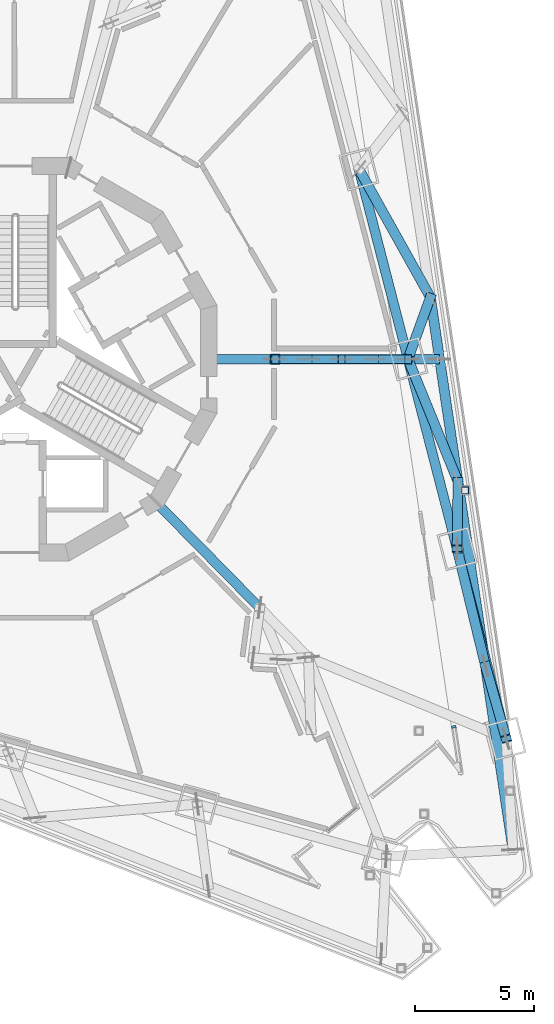
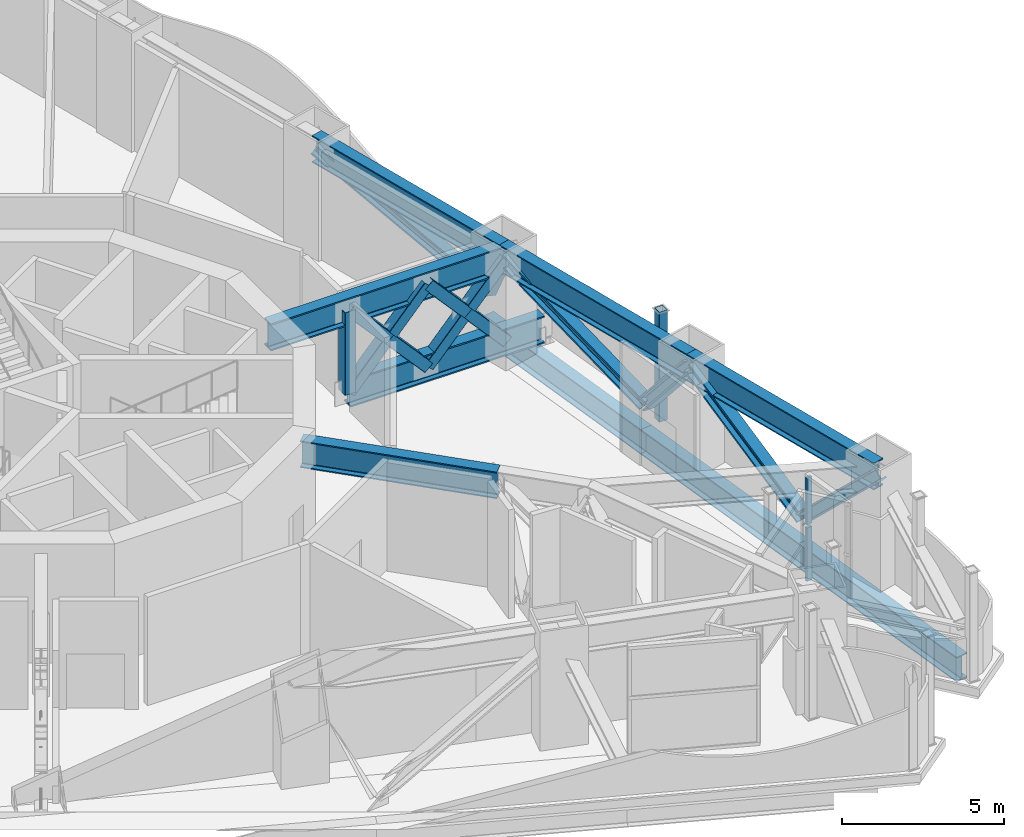
# One storey, part 4 of 27: 24 members, 1 beam, 1 element without a shape of its own.
"""IFC4 building model written with IfcOpenShell, lengths in metres."""

from ifc_helpers import new_model, si_unit, direction, frame, origin, origin_2d, place, context, subcontext, project, spatial, rectangle, hollow_rectangle, i_section, extrude, material, layer, layer_set, material_profile, profile_set, type_object, element, aggregate, save


model = new_model("IFC4")

# Units and contexts
model_context = context("Model", 3, precision=1e-05, world=origin(), true_north=direction((0.0, 1.0)))
body_context = subcontext(model_context, "Body", "Model", "MODEL_VIEW")
ifc_project = project(units=[si_unit("LENGTHUNIT", "METRE"), si_unit("AREAUNIT", "SQUARE_METRE"), si_unit("VOLUMEUNIT", "CUBIC_METRE"), si_unit("PLANEANGLEUNIT", "RADIAN"), si_unit("MASSUNIT", "GRAM", prefix="KILO")], contexts=[model_context])

# Site, building, storey
site_placement = place(None, origin())
site = spatial("IfcSite", under=ifc_project, at=site_placement, CompositionType="ELEMENT")
building_placement = place(site_placement, origin())
building = spatial("IfcBuilding", under=site, at=building_placement, Name="Trine Commons Tower", CompositionType="ELEMENT")
storey_placement = place(building_placement, frame((0.0, 0.0, 230.39990234375)))
storey = spatial("IfcBuildingStorey", under=building, at=storey_placement, Name="L60", CompositionType="ELEMENT", Elevation=230.39990234375)

# Curtain wall, members
ifc_material_1 = material(Name="Plant louvre wall: anodised aluminium frame with anodised aluminium louvre blades", Category="aluminium")
ifc_layer = layer(ifc_material_1, 0.199951171875)
ifc_layer_set = layer_set([ifc_layer], Name="Plant louvre wall: anodised aluminium frame with anodised aluminium louvre blades")
curtain_wall_type = type_object("IfcCurtainWallType", Name="Plant louvre wall curtain wall CW7", PredefinedType="NOTDEFINED", material=ifc_layer_set)
curtain_wall_placement = place(storey_placement, origin())
curtain_wall = element("IfcCurtainWall", 1, at=curtain_wall_placement, inside=storey, type_object=curtain_wall_type, Name="Plant louvre wall L60 F2.2", PredefinedType="NOTDEFINED")
ifc_material_2 = material(Name="Anodised aluminium, bronze finish", Category="aluminium")
ifc_material_profile_1 = material_profile(ifc_material_2, rectangle(XDim=0.199951171875, YDim=0.10009765625, at=origin_2d()), Name="Mullion 100x200")
ifc_profile_set_1 = profile_set([ifc_material_profile_1], Name="Anodised aluminium, bronze finish")
member_type_1 = type_object("IfcMemberType", Name="Mullion 100x200, Anodised aluminium, bronze finish", PredefinedType="MULLION", material=ifc_profile_set_1)
member_1_placement = place(storey_placement, frame((98.484619140625, 47.0, 0.1201171875), z_axis=(0.0, 0.0, 1.0), x_axis=(0.989015863362, 0.14780941113, 0.0)))
member_1 = element("IfcMember", 2, at=member_1_placement, type_object=member_type_1, Name="CW7 mullion 1.1", PredefinedType="MULLION", context=body_context, shape_type="SweptSolid", body=[
    extrude(rectangle(XDim=0.199951171875, YDim=0.10009765625, at=origin_2d()), origin(), (0.0, 0.0, 1.0), 2.02001953125),
])
member_2_placement = place(storey_placement, frame((98.484619140625, 47.0, 2.260009765625), z_axis=(0.0, 0.0, 1.0), x_axis=(0.989015863362, 0.14780941113, 0.0)))
member_2 = element("IfcMember", 3, at=member_2_placement, type_object=member_type_1, Name="CW7 mullion 1.2", PredefinedType="MULLION", context=body_context, shape_type="SweptSolid", body=[
    extrude(rectangle(XDim=0.199951171875, YDim=0.10009765625, at=origin_2d()), origin(), (0.0, 0.0, 1.0), 1.77001953125),
])
aggregate(curtain_wall, [member_1, member_2])

# Beam
ifc_material_3 = material(Name="Structural steel ASTM A992 Gr50", Category="steel")
ifc_material_profile_2 = material_profile(ifc_material_3, i_section(OverallWidth=0.4033203125, OverallDepth=1.0126953125, WebThickness=0.023681640625, FlangeThickness=0.0419921875, FilletRadius=0.030029296875, at=origin_2d()), Name="W40X297")
ifc_profile_set_2 = profile_set([ifc_material_profile_2], Name="Structural steel ASTM A992 Gr50")
beam_type = type_object("IfcBeamType", Name="Steel beam W40X297, ASTM A992 Gr50", PredefinedType="BEAM", material=ifc_profile_set_2)
beam_placement = place(storey_placement, frame((85.87353515625, 56.523193359375, 3.643798828125), z_axis=(0.700896615551, -0.713262878824, 0.0), x_axis=(0.713262878824, 0.700896615551, 0.0)))
element("IfcBeam", 4, at=beam_placement, inside=storey, type_object=beam_type, Name="Transfer truss girder T6-UR-01", PredefinedType="BEAM", context=body_context, shape_type="SweptSolid", body=[
    extrude(i_section(OverallWidth=0.4033203125, OverallDepth=1.0126953125, WebThickness=0.023681640625, FlangeThickness=0.0419921875, FilletRadius=0.030029296875, at=origin_2d()), origin(), (0.0, 0.0, 1.0), 6.317626953125),
])

# Members
ifc_material_4 = material(Name="Structural steel ASTM A500 Gr C", Category="steel")
ifc_material_profile_3 = material_profile(ifc_material_4, hollow_rectangle(XDim=0.406494140625, YDim=0.406494140625, WallThickness=0.017578125, InnerFilletRadius=0.0087890625, OuterFilletRadius=0.026611328125, at=origin_2d()), Name="HSS16X16X3/4")
ifc_profile_set_3 = profile_set([ifc_material_profile_3], Name="Structural steel ASTM A500 Gr C")
member_type_2 = type_object("IfcMemberType", Name="Steel brace HSS16X16X3/4, ASTM A500 Gr C", PredefinedType="BRACE", material=ifc_profile_set_3)
member_3_placement = place(storey_placement, frame((90.949951171875, 62.5, 0.514404296875), z_axis=(0.668080001186, 0.0, 0.744089451622), x_axis=(0.0, 1.0, 0.0)))
element("IfcMember", 5, at=member_3_placement, inside=storey, type_object=member_type_2, Name="Outrigger truss brace T6-OB-09", PredefinedType="BRACE", context=body_context, shape_type="SweptSolid", body=[
    extrude(hollow_rectangle(XDim=0.406494140625, YDim=0.406494140625, WallThickness=0.017578125, InnerFilletRadius=0.0087890625, OuterFilletRadius=0.026611328125, at=origin_2d()), origin(), (0.0, 0.0, 1.0), 4.19482421875),
])
for number, where, z_axis, x_axis, name in (
    (6, (90.949951171875, 62.5, 3.6357421875), (0.668141154821, 0.0, -0.744034540351), (0.0, 1.0, 0.0), "Outrigger truss brace T6-OB-10a"),
    (7, (92.351318359375, 62.5, 2.0751953125), (0.66801884358, 0.0, -0.744144357381), (0.0, 1.0, 0.0), "Outrigger truss brace T6-OB-10b"),
):
    element("IfcMember", number, at=place(storey_placement, frame(where, z_axis=z_axis, x_axis=x_axis)), inside=storey, type_object=member_type_2, Name=name, PredefinedType="BRACE", context=body_context, shape_type="SweptSolid", body=[
        extrude(hollow_rectangle(XDim=0.406494140625, YDim=0.406494140625, WallThickness=0.017578125, InnerFilletRadius=0.0087890625, OuterFilletRadius=0.026611328125, at=origin_2d()), origin(), (0.0, 0.0, 1.0), 2.097412109375),
    ])
member_4_placement = place(storey_placement, frame((93.75244140625, 62.5, 0.514404296875), z_axis=(0.668080001186, 0.0, 0.744089451622), x_axis=(0.0, 1.0, 0.0)))
element("IfcMember", 8, at=member_4_placement, inside=storey, type_object=member_type_2, Name="Outrigger truss brace T6-OB-11", PredefinedType="BRACE", context=body_context, shape_type="SweptSolid", body=[
    extrude(hollow_rectangle(XDim=0.406494140625, YDim=0.406494140625, WallThickness=0.017578125, InnerFilletRadius=0.0087890625, OuterFilletRadius=0.026611328125, at=origin_2d()), origin(), (0.0, 0.0, 1.0), 4.19482421875),
])
for number, where, z_axis, x_axis, name in (
    (9, (93.75244140625, 62.5, 3.6357421875), (0.668141154821, 0.0, -0.744034540351), (0.0, 1.0, 0.0), "Outrigger truss brace T6-OB-12a"),
    (10, (95.15380859375, 62.5, 2.0751953125), (0.66801884358, 0.0, -0.744144357381), (0.0, 1.0, 0.0), "Outrigger truss brace T6-OB-12b"),
):
    element("IfcMember", number, at=place(storey_placement, frame(where, z_axis=z_axis, x_axis=x_axis)), inside=storey, type_object=member_type_2, Name=name, PredefinedType="BRACE", context=body_context, shape_type="SweptSolid", body=[
        extrude(hollow_rectangle(XDim=0.406494140625, YDim=0.406494140625, WallThickness=0.017578125, InnerFilletRadius=0.0087890625, OuterFilletRadius=0.026611328125, at=origin_2d()), origin(), (0.0, 0.0, 1.0), 2.097412109375),
    ])
ifc_material_profile_4 = material_profile(ifc_material_3, i_section(OverallWidth=0.416015625, OverallDepth=0.444580078125, WebThickness=0.0390625, FlangeThickness=0.062744140625, FilletRadius=0.015380859375, at=origin_2d()), Name="W14X342")
ifc_profile_set_4 = profile_set([ifc_material_profile_4], Name="Structural steel ASTM A992 Gr50")
member_type_3 = type_object("IfcMemberType", Name="Steel brace W14X342, ASTM A992 Gr50", PredefinedType="BRACE", material=ifc_profile_set_4)
member_5_placement = place(storey_placement, frame((97.49609375, 65.11474609375, 0.468505859375), z_axis=(-0.433536682573, 0.776826380356, 0.45671295104), x_axis=(-0.873217234245, -0.487331162372, 0.0)))
element("IfcMember", 11, at=member_5_placement, inside=storey, type_object=member_type_3, Name="Belt truss brace T6-DG-30", PredefinedType="BRACE", context=body_context, shape_type="SweptSolid", body=[
    extrude(i_section(OverallWidth=0.416015625, OverallDepth=0.444580078125, WebThickness=0.0390625, FlangeThickness=0.062744140625, FilletRadius=0.015380859375, at=origin_2d()), origin(), (0.0, 0.0, 1.0), 6.952392578125),
])
member_6_placement = place(storey_placement, frame((97.49609375, 65.11474609375, 0.468505859375), z_axis=(-0.223985863444, -0.61807583839, 0.753533404021), x_axis=(0.940168532965, -0.340709743949, 0.0)))
element("IfcMember", 12, at=member_6_placement, inside=storey, type_object=member_type_3, Name="Belt truss brace T6-DG-31", PredefinedType="BRACE", context=body_context, shape_type="SweptSolid", body=[
    extrude(i_section(OverallWidth=0.416015625, OverallDepth=0.444580078125, WebThickness=0.0390625, FlangeThickness=0.062744140625, FilletRadius=0.015380859375, at=origin_2d()), origin(), (0.0, 0.0, 1.0), 4.2138671875),
])
member_7_placement = place(storey_placement, frame((98.656494140625, 57.350341796875, 0.468505859375), z_axis=(-0.328088478846, 0.804519085788, 0.495082811912), x_axis=(-0.925963034741, -0.377614165906, 0.0)))
element("IfcMember", 13, at=member_7_placement, inside=storey, type_object=member_type_3, Name="Belt truss brace T6-DG-32", PredefinedType="BRACE", context=body_context, shape_type="SweptSolid", body=[
    extrude(i_section(OverallWidth=0.416015625, OverallDepth=0.444580078125, WebThickness=0.0390625, FlangeThickness=0.062744140625, FilletRadius=0.015380859375, at=origin_2d()), origin(), (0.0, 0.0, 1.0), 6.41357421875),
])
member_8_placement = place(storey_placement, frame((98.656494140625, 57.350341796875, 0.468505859375), z_axis=(-0.007901674306, -0.667347927768, 0.74470417405), x_axis=(0.999929909693, -0.011839581942, 0.0)))
element("IfcMember", 14, at=member_8_placement, inside=storey, type_object=member_type_3, Name="Belt truss brace T6-DG-33", PredefinedType="BRACE", context=body_context, shape_type="SweptSolid", body=[
    extrude(i_section(OverallWidth=0.416015625, OverallDepth=0.444580078125, WebThickness=0.0390625, FlangeThickness=0.062744140625, FilletRadius=0.015380859375, at=origin_2d()), origin(), (0.0, 0.0, 1.0), 4.263916015625),
])
member_9_placement = place(storey_placement, frame((99.81689453125, 49.586181640625, 0.468505859375), z_axis=(-0.199844257746, 0.823198172317, 0.531419835666), x_axis=(-0.97177408528, -0.235913389145, 0.0)))
element("IfcMember", 15, at=member_9_placement, inside=storey, type_object=member_type_3, Name="Belt truss brace T6-DG-34", PredefinedType="BRACE", context=body_context, shape_type="SweptSolid", body=[
    extrude(i_section(OverallWidth=0.416015625, OverallDepth=0.444580078125, WebThickness=0.0390625, FlangeThickness=0.062744140625, FilletRadius=0.015380859375, at=origin_2d()), origin(), (0.0, 0.0, 1.0), 5.97509765625),
])
member_10_placement = place(storey_placement, frame((99.81689453125, 49.586181640625, 0.468505859375), z_axis=(0.194111445156, -0.683743909071, 0.703430887627), x_axis=(0.96198489529, 0.273102656953, 0.0)))
element("IfcMember", 16, at=member_10_placement, inside=storey, type_object=member_type_3, Name="Belt truss brace T6-DG-35", PredefinedType="BRACE", context=body_context, shape_type="SweptSolid", body=[
    extrude(i_section(OverallWidth=0.416015625, OverallDepth=0.444580078125, WebThickness=0.0390625, FlangeThickness=0.062744140625, FilletRadius=0.015380859375, at=origin_2d()), origin(), (0.0, 0.0, 1.0), 4.513916015625),
])
ifc_material_profile_5 = material_profile(ifc_material_3, i_section(OverallWidth=0.419189453125, OverallDepth=0.9365234375, WebThickness=0.021240234375, FlangeThickness=0.03662109375, FilletRadius=0.024169921875, at=origin_2d()), Name="W36X262")
ifc_profile_set_5 = profile_set([ifc_material_profile_5], Name="Structural steel ASTM A992 Gr50")
member_type_4 = type_object("IfcMemberType", Name="Steel chord W36X262, ASTM A992 Gr50", PredefinedType="CHORD", material=ifc_profile_set_5)
member_11_placement = place(storey_placement, frame((97.49609375, 65.11474609375, -0.918212890625), z_axis=(0.147809709358, -0.989015818791, 0.0), x_axis=(0.989015818791, 0.147809709358, 0.0)))
element("IfcMember", 17, at=member_11_placement, inside=storey, type_object=member_type_4, Name="Belt truss chord T6-LC-16", PredefinedType="CHORD", context=body_context, shape_type="SweptSolid", body=[
    extrude(i_section(OverallWidth=0.419189453125, OverallDepth=0.9365234375, WebThickness=0.021240234375, FlangeThickness=0.03662109375, FilletRadius=0.024169921875, at=origin_2d()), origin(), (0.0, 0.0, 1.0), 7.8505859375),
])
member_12_placement = place(storey_placement, frame((98.656494140625, 57.350341796875, -0.918212890625), z_axis=(0.147814255621, -0.989015139336, 0.0), x_axis=(0.989015139336, 0.147814255621, 0.0)))
element("IfcMember", 18, at=member_12_placement, inside=storey, type_object=member_type_4, Name="Belt truss chord T6-LC-17", PredefinedType="CHORD", context=body_context, shape_type="SweptSolid", body=[
    extrude(i_section(OverallWidth=0.419189453125, OverallDepth=0.9365234375, WebThickness=0.021240234375, FlangeThickness=0.03662109375, FilletRadius=0.024169921875, at=origin_2d()), origin(), (0.0, 0.0, 1.0), 7.850341796875),
])
member_13_placement = place(storey_placement, frame((99.81689453125, 49.586181640625, -0.918212890625), z_axis=(0.147809709358, -0.989015818791, 0.0), x_axis=(0.989015818791, 0.147809709358, 0.0)))
element("IfcMember", 19, at=member_13_placement, inside=storey, type_object=member_type_4, Name="Belt truss chord T6-LC-18", PredefinedType="CHORD", context=body_context, shape_type="SweptSolid", body=[
    extrude(i_section(OverallWidth=0.419189453125, OverallDepth=0.9365234375, WebThickness=0.021240234375, FlangeThickness=0.03662109375, FilletRadius=0.024169921875, at=origin_2d()), origin(), (0.0, 0.0, 1.0), 7.8505859375),
])
ifc_material_profile_6 = material_profile(ifc_material_3, i_section(OverallWidth=0.4033203125, OverallDepth=1.0126953125, WebThickness=0.023681640625, FlangeThickness=0.0419921875, FilletRadius=0.030029296875, at=origin_2d()), Name="W40X297")
ifc_profile_set_6 = profile_set([ifc_material_profile_6], Name="Structural steel ASTM A992 Gr50")
member_type_5 = type_object("IfcMemberType", Name="Steel chord W40X297, ASTM A992 Gr50", PredefinedType="CHORD", material=ifc_profile_set_6)
for number, where, z_axis, x_axis, name in (
    (20, (94.48193359375, 70.515625, 3.643798828125), (0.250378050465, -0.968148145608, 0.0), (0.968148145608, 0.250378050465, 0.0), "Belt truss chord T6-UC-13"),
    (21, (96.55224609375, 62.51025390625, 3.643798828125), (0.25040572493, -0.968140988143, 0.0), (0.968140988143, 0.25040572493, 0.0), "Belt truss chord T6-UC-14"),
):
    element("IfcMember", number, at=place(storey_placement, frame(where, z_axis=z_axis, x_axis=x_axis)), inside=storey, type_object=member_type_5, Name=name, PredefinedType="CHORD", context=body_context, shape_type="SweptSolid", body=[
        extrude(i_section(OverallWidth=0.4033203125, OverallDepth=1.0126953125, WebThickness=0.023681640625, FlangeThickness=0.0419921875, FilletRadius=0.030029296875, at=origin_2d()), origin(), (0.0, 0.0, 1.0), 8.268798828125),
    ])
member_14_placement = place(storey_placement, frame((98.622802734375, 54.5048828125, 3.643798828125), z_axis=(0.250385207786, -0.968146294587, 0.0), x_axis=(0.968146294587, 0.250385207786, 0.0)))
element("IfcMember", 22, at=member_14_placement, inside=storey, type_object=member_type_5, Name="Belt truss chord T6-UC-15", PredefinedType="CHORD", context=body_context, shape_type="SweptSolid", body=[
    extrude(i_section(OverallWidth=0.4033203125, OverallDepth=1.0126953125, WebThickness=0.023681640625, FlangeThickness=0.0419921875, FilletRadius=0.030029296875, at=origin_2d()), origin(), (0.0, 0.0, 1.0), 8.2685546875),
])
ifc_material_profile_7 = material_profile(ifc_material_3, i_section(OverallWidth=0.406494140625, OverallDepth=1.02880859375, WebThickness=0.0283203125, FlangeThickness=0.051025390625, FilletRadius=0.02978515625, at=origin_2d()), Name="W40X362")
ifc_profile_set_7 = profile_set([ifc_material_profile_7], Name="Structural steel ASTM A992 Gr50")
member_type_6 = type_object("IfcMemberType", Name="Steel chord W40X362, ASTM A992 Gr50", PredefinedType="CHORD", material=ifc_profile_set_7)
member_15_placement = place(storey_placement, frame((90.949951171875, 62.5, 0.514404296875), z_axis=(1.0, 0.0, 0.0), x_axis=(0.0, 1.0, 0.0)))
element("IfcMember", 23, at=member_15_placement, inside=storey, type_object=member_type_6, Name="Outrigger truss chord T6-OL-03", PredefinedType="CHORD", context=body_context, shape_type="SweptSolid", body=[
    extrude(i_section(OverallWidth=0.406494140625, OverallDepth=1.02880859375, WebThickness=0.0283203125, FlangeThickness=0.051025390625, FilletRadius=0.02978515625, at=origin_2d()), origin(), (0.0, 0.0, 1.0), 6.93701171875),
])
member_16_placement = place(storey_placement, frame((88.10009765625, 62.5, 3.6357421875), z_axis=(1.0, 0.0, 0.0), x_axis=(0.0, 1.0, 0.0)))
element("IfcMember", 24, at=member_16_placement, inside=storey, type_object=member_type_6, Name="Outrigger truss chord T6-OU-03", PredefinedType="CHORD", context=body_context, shape_type="SweptSolid", body=[
    extrude(i_section(OverallWidth=0.406494140625, OverallDepth=1.02880859375, WebThickness=0.0283203125, FlangeThickness=0.051025390625, FilletRadius=0.02978515625, at=origin_2d()), origin(), (0.0, 0.0, 1.0), 8.454833984375),
])
ifc_material_profile_8 = material_profile(ifc_material_4, hollow_rectangle(XDim=0.3046875, YDim=0.3046875, WallThickness=0.014892578125, InnerFilletRadius=0.00732421875, OuterFilletRadius=0.022216796875, at=origin_2d()), Name="HSS12X12X5/8")
ifc_profile_set_8 = profile_set([ifc_material_profile_8], Name="Structural steel ASTM A500 Gr C")
member_type_7 = type_object("IfcMemberType", Name="Steel post HSS12X12X5/8, ASTM A500 Gr C", PredefinedType="POST", material=ifc_profile_set_8)
member_17_placement = place(storey_placement, frame((98.9658203125, 56.97216796875, 0.0), z_axis=(0.0, 0.0, 1.0), x_axis=(1.0, 0.0, 0.0)))
element("IfcMember", 25, at=member_17_placement, inside=storey, type_object=member_type_7, Name="Roof post SP6-53", PredefinedType="POST", context=body_context, shape_type="SweptSolid", body=[
    extrude(hollow_rectangle(XDim=0.3046875, YDim=0.3046875, WallThickness=0.014892578125, InnerFilletRadius=0.00732421875, OuterFilletRadius=0.022216796875, at=origin_2d()), origin(), (0.0, 0.0, 1.0), 4.150146484375),
])
ifc_material_profile_9 = material_profile(ifc_material_4, hollow_rectangle(XDim=0.406494140625, YDim=0.406494140625, WallThickness=0.017578125, InnerFilletRadius=0.0087890625, OuterFilletRadius=0.026611328125, at=origin_2d()), Name="HSS16X16X3/4")
ifc_profile_set_9 = profile_set([ifc_material_profile_9], Name="Structural steel ASTM A500 Gr C")
member_type_8 = type_object("IfcMemberType", Name="Steel post HSS16X16X3/4, ASTM A500 Gr C", PredefinedType="POST", material=ifc_profile_set_9)
member_18_placement = place(storey_placement, frame((90.949951171875, 62.5, 0.514404296875), z_axis=(0.0, 0.0, 1.0), x_axis=(1.0, 0.0, 0.0)))
element("IfcMember", 26, at=member_18_placement, inside=storey, type_object=member_type_8, Name="Outrigger truss post T6-OP-03", PredefinedType="POST", context=body_context, shape_type="SweptSolid", body=[
    extrude(hollow_rectangle(XDim=0.406494140625, YDim=0.406494140625, WallThickness=0.017578125, InnerFilletRadius=0.0087890625, OuterFilletRadius=0.026611328125, at=origin_2d()), origin(), (0.0, 0.0, 1.0), 3.121337890625),
])

save(model, "model.ifc")
